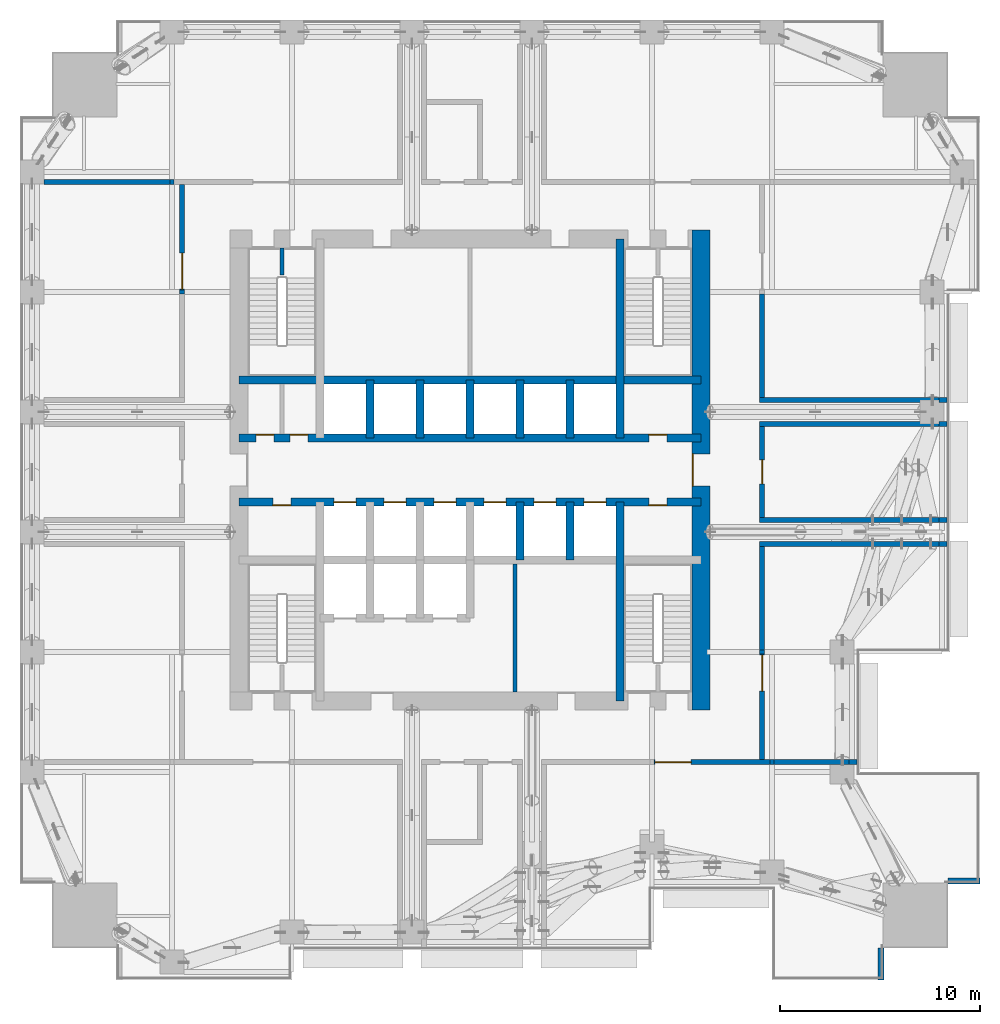
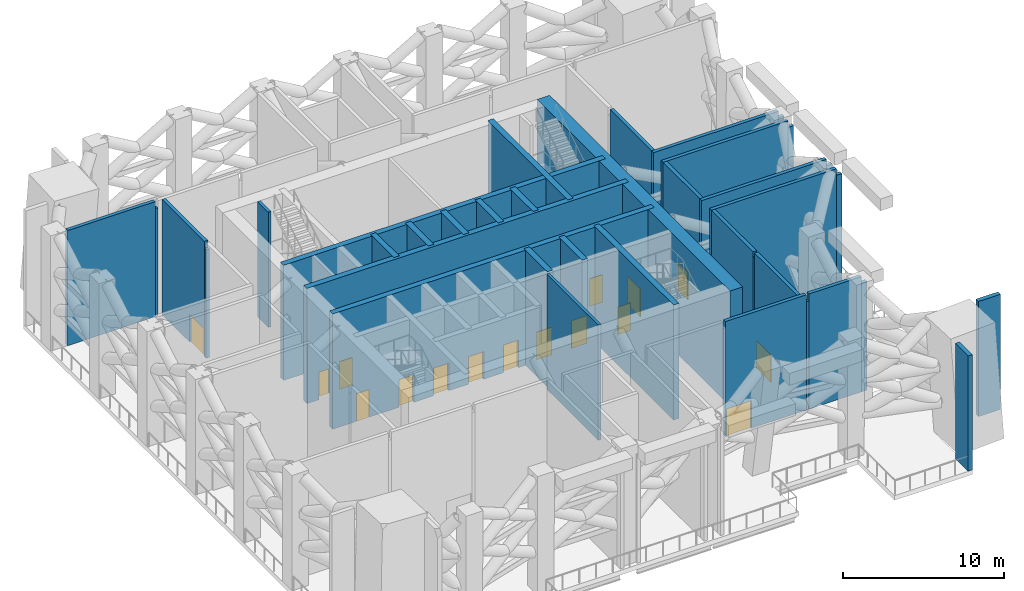
# One storey, part 8 of 18: 38 walls, 16 doors, 16 openings.
"""IFC4 building model written with IfcOpenShell, lengths in metres."""

from ifc_helpers import new_model, si_unit, direction, frame, frame_2d, origin, place, context, subcontext, project, spatial, rectangle, extrude, material, layer, layer_set, type_object, element, fill, save


model = new_model("IFC4")

# Units and contexts
model_context = context("Model", 3, precision=1e-05, world=origin(), true_north=direction((0.0, 1.0)))
body_context = subcontext(model_context, "Body", "Model", "MODEL_VIEW")
ifc_project = project(units=[si_unit("LENGTHUNIT", "METRE"), si_unit("AREAUNIT", "SQUARE_METRE"), si_unit("VOLUMEUNIT", "CUBIC_METRE"), si_unit("PLANEANGLEUNIT", "RADIAN"), si_unit("MASSUNIT", "GRAM", prefix="KILO")], contexts=[model_context])

# Site, building, storey
site_placement = place(None, origin())
site = spatial("IfcSite", under=ifc_project, at=site_placement, CompositionType="ELEMENT")
building_placement = place(site_placement, origin())
building = spatial("IfcBuilding", under=site, at=building_placement, Name="Amberfall Residences", CompositionType="ELEMENT")
storey_placement = place(building_placement, frame((0.0, 0.0, 69.699951171875)))
storey = spatial("IfcBuildingStorey", under=building, at=storey_placement, Name="L19", CompositionType="ELEMENT", Elevation=69.699951171875)

# Wall, opening, door
ifc_material_1 = material(Name="Reinforced concrete C40", Category="concrete")
ifc_layer_1 = layer(ifc_material_1, 0.25)
ifc_layer_set_1 = layer_set([ifc_layer_1], Name="Compartment wall 250")
wall_type_1 = type_object("IfcWallType", Name="Compartment wall 250", PredefinedType="SOLIDWALL", material=ifc_layer_set_1)
wall_1_placement = place(storey_placement, frame((83.69580078125, 30.89990234375, 0.0), z_axis=(0.0, 0.0, 1.0), x_axis=(1.0, 0.0, 0.0)))
wall_1 = element("IfcWall", 1, at=wall_1_placement, inside=storey, type_object=wall_type_1, Name="Compartment wall 250 L19 010", PredefinedType="SOLIDWALL", context=body_context, shape_type="SweptSolid", body=[
    extrude(rectangle(XDim=5.799560546875, YDim=0.25, at=frame_2d((2.89990234375, 0.0))), origin(), (0.0, 0.0, 1.0), 8.75),
])
opening_1_placement = place(wall_1_placement, frame((0.054443359375, 0.0, 0.0)))
opening_1 = element("IfcOpeningElement", 2, at=opening_1_placement, cuts=wall_1, Name="Opening D13", PredefinedType="OPENING", context=body_context, shape_type="SweptSolid", body=[
    extrude(rectangle(XDim=1.800048828125, YDim=2.10009765625, at=frame_2d((0.89990234375, 1.050048828125))), frame((0.0, 0.135009765625, 0.0), z_axis=(0.0, -1.0, 0.0), x_axis=(1.0, 0.0, 0.0)), (0.0, 0.0, 1.0), 0.27001953125),
])
ifc_material_2 = material(Name="Steel fire door leaf", Category="steel")
door_type_1 = type_object("IfcDoorType", Name="Double fire door 1800x2100 FD60", OperationType="DOUBLE_DOOR_SINGLE_SWING", PredefinedType="DOOR", material=ifc_material_2)
door_1_placement = place(opening_1_placement, origin())
door_1 = element("IfcDoor", 3, at=door_1_placement, inside=storey, type_object=door_type_1, Name="Door Refuge area 3", OperationType="DOUBLE_DOOR_SINGLE_SWING", OverallHeight=2.10009765625, OverallWidth=1.800048828125, PredefinedType="DOOR", context=body_context, shape_type="SweptSolid", body=[
    extrude(rectangle(XDim=1.800048828125, YDim=2.10009765625, at=frame_2d((0.89990234375, 1.050048828125))), frame((0.0, 0.02490234375, 0.0), z_axis=(0.0, -1.0, 0.0), x_axis=(1.0, 0.0, 0.0)), (0.0, 0.0, 1.0), 0.050048828125),
])
fill(opening_1, door_1)

# Walls
wall_2_placement = place(storey_placement, frame((89.495361328125, 30.89990234375, 0.0), z_axis=(0.0, 0.0, 1.0), x_axis=(1.0, 0.0, 0.0)))
element("IfcWall", 4, at=wall_2_placement, inside=storey, type_object=wall_type_1, Name="Compartment wall 250 L19 011", PredefinedType="SOLIDWALL", context=body_context, shape_type="SweptSolid", body=[
    extrude(rectangle(XDim=0.209228515625, YDim=0.25, at=frame_2d((0.1044921875, 0.0))), origin(), (0.0, 0.0, 1.0), 8.217041015625),
])
wall_3_placement = place(storey_placement, frame((89.70458984375, 30.89990234375, 0.0), z_axis=(0.0, 0.0, 1.0), x_axis=(1.0, 0.0, 0.0)))
element("IfcWall", 5, at=wall_3_placement, inside=storey, type_object=wall_type_1, Name="Compartment wall 250 L19 012", PredefinedType="SOLIDWALL", context=body_context, shape_type="SweptSolid", body=[
    extrude(rectangle(XDim=3.745361328125, YDim=0.25, at=frame_2d((1.87255859375, 0.0))), origin(), (0.0, 0.0, 1.0), 8.75),
])
wall_4_placement = place(storey_placement, frame((93.449951171875, 30.89990234375, 0.0), z_axis=(0.0, 0.0, 1.0), x_axis=(1.0, 0.0, 0.0)))
element("IfcWall", 6, at=wall_4_placement, inside=storey, type_object=wall_type_1, Name="Compartment wall 250 L19 013", PredefinedType="SOLIDWALL", context=body_context, shape_type="SweptSolid", body=[
    extrude(rectangle(XDim=0.400146484375, YDim=0.25, at=frame_2d((0.2001953125, 0.0))), origin(), (0.0, 0.0, 1.0), 8.25),
])
wall_5_placement = place(storey_placement, frame((88.97509765625, 41.800048828125, 0.0), z_axis=(0.0, 0.0, 1.0), x_axis=(1.0, 0.0, 0.0)))
element("IfcWall", 7, at=wall_5_placement, inside=storey, type_object=wall_type_1, Name="Compartment wall 250 L19 015", PredefinedType="SOLIDWALL", context=body_context, shape_type="SweptSolid", body=[
    extrude(rectangle(XDim=8.974853515625, YDim=0.25, at=frame_2d((4.4873046875, 0.0))), origin(), (0.0, 0.0, 1.0), 8.75),
])
wall_6_placement = place(storey_placement, frame((97.949951171875, 41.800048828125, 0.0), z_axis=(0.0, 0.0, 1.0), x_axis=(1.0, 0.0, 0.0)))
element("IfcWall", 8, at=wall_6_placement, inside=storey, type_object=wall_type_1, Name="Compartment wall 250 L19 016", PredefinedType="SOLIDWALL", context=body_context, shape_type="SweptSolid", body=[
    extrude(rectangle(XDim=0.400146484375, YDim=0.25, at=frame_2d((0.2001953125, 0.0))), origin(), (0.0, 0.0, 1.0), 8.25),
])
wall_7_placement = place(storey_placement, frame((88.97509765625, 43.0, 0.0), z_axis=(0.0, 0.0, 1.0), x_axis=(1.0, 0.0, 0.0)))
element("IfcWall", 9, at=wall_7_placement, inside=storey, type_object=wall_type_1, Name="Compartment wall 250 L19 018", PredefinedType="SOLIDWALL", context=body_context, shape_type="SweptSolid", body=[
    extrude(rectangle(XDim=8.974853515625, YDim=0.25, at=frame_2d((4.4873046875, 0.0))), origin(), (0.0, 0.0, 1.0), 8.75),
])
wall_8_placement = place(storey_placement, frame((97.949951171875, 43.0, 0.0), z_axis=(0.0, 0.0, 1.0), x_axis=(1.0, 0.0, 0.0)))
element("IfcWall", 10, at=wall_8_placement, inside=storey, type_object=wall_type_1, Name="Compartment wall 250 L19 019", PredefinedType="SOLIDWALL", context=body_context, shape_type="SweptSolid", body=[
    extrude(rectangle(XDim=0.400146484375, YDim=0.25, at=frame_2d((0.2001953125, 0.0))), origin(), (0.0, 0.0, 1.0), 8.25),
])
wall_9_placement = place(storey_placement, frame((88.97509765625, 47.800048828125, 0.0), z_axis=(0.0, 0.0, 1.0), x_axis=(1.0, 0.0, 0.0)))
element("IfcWall", 11, at=wall_9_placement, inside=storey, type_object=wall_type_1, Name="Compartment wall 250 L19 021", PredefinedType="SOLIDWALL", context=body_context, shape_type="SweptSolid", body=[
    extrude(rectangle(XDim=8.974853515625, YDim=0.25, at=frame_2d((4.4873046875, 0.0))), origin(), (0.0, 0.0, 1.0), 8.75),
])
wall_10_placement = place(storey_placement, frame((97.949951171875, 47.800048828125, 0.0), z_axis=(0.0, 0.0, 1.0), x_axis=(1.0, 0.0, 0.0)))
element("IfcWall", 12, at=wall_10_placement, inside=storey, type_object=wall_type_1, Name="Compartment wall 250 L19 022", PredefinedType="SOLIDWALL", context=body_context, shape_type="SweptSolid", body=[
    extrude(rectangle(XDim=0.400146484375, YDim=0.25, at=frame_2d((0.2001953125, 0.0))), origin(), (0.0, 0.0, 1.0), 8.25),
])
wall_11_placement = place(storey_placement, frame((88.97509765625, 49.0, 0.0), z_axis=(0.0, 0.0, 1.0), x_axis=(1.0, 0.0, 0.0)))
element("IfcWall", 13, at=wall_11_placement, inside=storey, type_object=wall_type_1, Name="Compartment wall 250 L19 024", PredefinedType="SOLIDWALL", context=body_context, shape_type="SweptSolid", body=[
    extrude(rectangle(XDim=8.974853515625, YDim=0.25, at=frame_2d((4.4873046875, 0.0))), origin(), (0.0, 0.0, 1.0), 8.75),
])
wall_12_placement = place(storey_placement, frame((97.949951171875, 49.0, 0.0), z_axis=(0.0, 0.0, 1.0), x_axis=(1.0, 0.0, 0.0)))
element("IfcWall", 14, at=wall_12_placement, inside=storey, type_object=wall_type_1, Name="Compartment wall 250 L19 025", PredefinedType="SOLIDWALL", context=body_context, shape_type="SweptSolid", body=[
    extrude(rectangle(XDim=0.400146484375, YDim=0.25, at=frame_2d((0.2001953125, 0.0))), origin(), (0.0, 0.0, 1.0), 8.25),
])
wall_13_placement = place(storey_placement, frame((53.199951171875, 59.89990234375, 0.0), z_axis=(0.0, 0.0, 1.0), x_axis=(1.0, 0.0, 0.0)))
element("IfcWall", 15, at=wall_13_placement, inside=storey, type_object=wall_type_1, Name="Compartment wall 250 L19 026", PredefinedType="SOLIDWALL", context=body_context, shape_type="SweptSolid", body=[
    extrude(rectangle(XDim=6.294677734375, YDim=0.25, at=frame_2d((3.1474609375, 0.0))), origin(), (0.0, 0.0, 1.0), 8.75),
])
wall_14_placement = place(storey_placement, frame((59.49462890625, 59.89990234375, 0.0), z_axis=(0.0, 0.0, 1.0), x_axis=(1.0, 0.0, 0.0)))
element("IfcWall", 16, at=wall_14_placement, inside=storey, type_object=wall_type_1, Name="Compartment wall 250 L19 027", PredefinedType="SOLIDWALL", context=body_context, shape_type="SweptSolid", body=[
    extrude(rectangle(XDim=0.210693359375, YDim=0.25, at=frame_2d((0.10546875, 0.0))), origin(), (0.0, 0.0, 1.0), 8.2099609375),
])
wall_15_placement = place(storey_placement, frame((60.10009765625, 54.29541015625, 0.0), z_axis=(0.0, 0.0, 1.0), x_axis=(0.0, 1.0, 0.0)))
element("IfcWall", 17, at=wall_15_placement, inside=storey, type_object=wall_type_1, Name="Compartment wall 250 L19 044", PredefinedType="SOLIDWALL", context=body_context, shape_type="SweptSolid", body=[
    extrude(rectangle(XDim=0.209228515625, YDim=0.25, at=frame_2d((0.1044921875, 0.0))), origin(), (0.0, 0.0, 1.0), 8.217041015625),
])

# Wall, opening, door
wall_16_placement = place(storey_placement, frame((60.10009765625, 54.504638671875, 0.0), z_axis=(0.0, 0.0, 1.0), x_axis=(0.0, 1.0, 0.0)))
wall_16 = element("IfcWall", 18, at=wall_16_placement, inside=storey, type_object=wall_type_1, Name="Compartment wall 250 L19 045", PredefinedType="SOLIDWALL", context=body_context, shape_type="SweptSolid", body=[
    extrude(rectangle(XDim=5.270263671875, YDim=0.25, at=frame_2d((2.63525390625, 0.0))), origin(), (0.0, 0.0, 1.0), 8.75),
])
opening_2_placement = place(wall_16_placement, frame((0.04541015625, 0.0, 0.0)))
opening_2 = element("IfcOpeningElement", 19, at=opening_2_placement, cuts=wall_16, Name="Opening D13", PredefinedType="OPENING", context=body_context, shape_type="SweptSolid", body=[
    extrude(rectangle(XDim=1.800048828125, YDim=2.10009765625, at=frame_2d((0.89990234375, 1.050048828125))), frame((0.0, 0.135009765625, 0.0), z_axis=(0.0, -1.0, 0.0), x_axis=(1.0, 0.0, 0.0)), (0.0, 0.0, 1.0), 0.27001953125),
])
door_2_placement = place(opening_2_placement, origin())
door_2 = element("IfcDoor", 20, at=door_2_placement, inside=storey, type_object=door_type_1, Name="Door Refuge area 9", OperationType="DOUBLE_DOOR_SINGLE_SWING", OverallHeight=2.10009765625, OverallWidth=1.800048828125, PredefinedType="DOOR", context=body_context, shape_type="SweptSolid", body=[
    extrude(rectangle(XDim=1.800048828125, YDim=2.10009765625, at=frame_2d((0.89990234375, 1.050048828125))), frame((0.0, 0.02490234375, 0.0), z_axis=(0.0, -1.0, 0.0), x_axis=(1.0, 0.0, 0.0)), (0.0, 0.0, 1.0), 0.050048828125),
])
fill(opening_2, door_2)

wall_17_placement = place(storey_placement, frame((89.10009765625, 31.02490234375, 0.0), z_axis=(0.0, 0.0, 1.0), x_axis=(0.0, 1.0, 0.0)))
wall_17 = element("IfcWall", 21, at=wall_17_placement, inside=storey, type_object=wall_type_1, Name="Compartment wall 250 L19 060", PredefinedType="SOLIDWALL", context=body_context, shape_type="SweptSolid", body=[
    extrude(rectangle(XDim=5.2861328125, YDim=0.25, at=frame_2d((2.64306640625, 0.0))), origin(), (0.0, 0.0, 1.0), 8.75),
])
opening_3_placement = place(wall_17_placement, frame((3.425048828125, 0.0, 0.0)))
opening_3 = element("IfcOpeningElement", 22, at=opening_3_placement, cuts=wall_17, Name="Opening D13", PredefinedType="OPENING", context=body_context, shape_type="SweptSolid", body=[
    extrude(rectangle(XDim=1.800048828125, YDim=2.10009765625, at=frame_2d((0.89990234375, 1.050048828125))), frame((0.0, 0.135009765625, 0.0), z_axis=(0.0, -1.0, 0.0), x_axis=(1.0, 0.0, 0.0)), (0.0, 0.0, 1.0), 0.27001953125),
])
door_3_placement = place(opening_3_placement, origin())
door_3 = element("IfcDoor", 23, at=door_3_placement, inside=storey, type_object=door_type_1, Name="Door Refuge area 10", OperationType="DOUBLE_DOOR_SINGLE_SWING", OverallHeight=2.10009765625, OverallWidth=1.800048828125, PredefinedType="DOOR", context=body_context, shape_type="SweptSolid", body=[
    extrude(rectangle(XDim=1.800048828125, YDim=2.10009765625, at=frame_2d((0.89990234375, 1.050048828125))), frame((0.0, 0.02490234375, 0.0), z_axis=(0.0, -1.0, 0.0), x_axis=(1.0, 0.0, 0.0)), (0.0, 0.0, 1.0), 0.050048828125),
])
fill(opening_3, door_3)

# Walls
wall_18_placement = place(storey_placement, frame((89.10009765625, 36.31103515625, 0.0), z_axis=(0.0, 0.0, 1.0), x_axis=(0.0, 1.0, 0.0)))
element("IfcWall", 24, at=wall_18_placement, inside=storey, type_object=wall_type_1, Name="Compartment wall 250 L19 061", PredefinedType="SOLIDWALL", context=body_context, shape_type="SweptSolid", body=[
    extrude(rectangle(XDim=0.177734375, YDim=0.25, at=frame_2d((0.0888671875, 0.0))), origin(), (0.0, 0.0, 1.0), 8.34716796875),
])
wall_19_placement = place(storey_placement, frame((89.10009765625, 36.48876953125, 0.0), z_axis=(0.0, 0.0, 1.0), x_axis=(0.0, 1.0, 0.0)))
element("IfcWall", 25, at=wall_19_placement, inside=storey, type_object=wall_type_1, Name="Compartment wall 250 L19 062", PredefinedType="SOLIDWALL", context=body_context, shape_type="SweptSolid", body=[
    extrude(rectangle(XDim=5.186279296875, YDim=0.25, at=frame_2d((2.59326171875, 0.0))), origin(), (0.0, 0.0, 1.0), 8.75),
])

# Wall, opening, door
wall_20_placement = place(storey_placement, frame((89.10009765625, 43.125, 0.0), z_axis=(0.0, 0.0, 1.0), x_axis=(0.0, 1.0, 0.0)))
wall_20 = element("IfcWall", 26, at=wall_20_placement, inside=storey, type_object=wall_type_1, Name="Compartment wall 250 L19 063", PredefinedType="SOLIDWALL", context=body_context, shape_type="SweptSolid", body=[
    extrude(rectangle(XDim=4.550048828125, YDim=0.25, at=frame_2d((2.27490234375, 0.0))), origin(), (0.0, 0.0, 1.0), 8.75),
])
opening_4_placement = place(wall_20_placement, frame((1.675048828125, 0.0, 0.0)))
opening_4 = element("IfcOpeningElement", 27, at=opening_4_placement, cuts=wall_20, Name="Opening D6", PredefinedType="OPENING", context=body_context, shape_type="SweptSolid", body=[
    extrude(rectangle(XDim=1.199951171875, YDim=2.10009765625, at=frame_2d((0.60009765625, 1.050048828125))), frame((0.0, 0.135009765625, 0.0), z_axis=(0.0, -1.0, 0.0), x_axis=(1.0, 0.0, 0.0)), (0.0, 0.0, 1.0), 0.27001953125),
])
door_type_2 = type_object("IfcDoorType", Name="Exit door 1200x2100", OperationType="SINGLE_SWING_LEFT", PredefinedType="DOOR", material=ifc_material_2)
door_4_placement = place(opening_4_placement, origin())
door_4 = element("IfcDoor", 28, at=door_4_placement, inside=storey, type_object=door_type_2, Name="Door Refuge area 11", OperationType="SINGLE_SWING_LEFT", OverallHeight=2.10009765625, OverallWidth=1.199951171875, PredefinedType="DOOR", context=body_context, shape_type="SweptSolid", body=[
    extrude(rectangle(XDim=1.199951171875, YDim=2.10009765625, at=frame_2d((0.60009765625, 1.050048828125))), frame((0.0, 0.02490234375, 0.0), z_axis=(0.0, -1.0, 0.0), x_axis=(1.0, 0.0, 0.0)), (0.0, 0.0, 1.0), 0.050048828125),
])
fill(opening_4, door_4)

# Wall
wall_21_placement = place(storey_placement, frame((89.10009765625, 49.125, 0.0), z_axis=(0.0, 0.0, 1.0), x_axis=(0.0, 1.0, 0.0)))
element("IfcWall", 29, at=wall_21_placement, inside=storey, type_object=wall_type_1, Name="Compartment wall 250 L19 064", PredefinedType="SOLIDWALL", context=body_context, shape_type="SweptSolid", body=[
    extrude(rectangle(XDim=5.17041015625, YDim=0.25, at=frame_2d((2.585205078125, 0.0))), origin(), (0.0, 0.0, 1.0), 8.75),
])

# Wall, openings, doors
ifc_material_3 = material(Name="Concrete C80", Category="concrete")
ifc_layer_2 = layer(ifc_material_3, 0.39990234375)
ifc_layer_set_2 = layer_set([ifc_layer_2], Name="Core wall 400 C80")
wall_type_2 = type_object("IfcWallType", Name="Core wall 400 C80", PredefinedType="SHEAR", material=ifc_layer_set_2)
wall_22_placement = place(storey_placement, frame((62.949951171875, 43.89990234375, 0.0), z_axis=(0.0, 0.0, 1.0), x_axis=(1.0, 0.0, 0.0)))
wall_22 = element("IfcWall", 30, at=wall_22_placement, inside=storey, type_object=wall_type_2, Name="Core wall RW2 L19 H104", PredefinedType="SHEAR", context=body_context, shape_type="SweptSolid", body=[
    extrude(rectangle(XDim=23.10009765625, YDim=0.39990234375, at=frame_2d((11.550048828125, 0.0))), origin(), (0.0, 0.0, 1.0), 8.75),
])
opening_5_placement = place(wall_22_placement, frame((1.699951171875, 0.0, 0.0)))
opening_5 = element("IfcOpeningElement", 31, at=opening_5_placement, cuts=wall_22, Name="Opening RD1", PredefinedType="OPENING", context=body_context, shape_type="SweptSolid", body=[
    extrude(rectangle(XDim=0.89990234375, YDim=2.10009765625, at=frame_2d((0.449951171875, 1.050048828125))), frame((0.0, 0.2099609375, 0.0), z_axis=(0.0, -1.0, 0.0), x_axis=(1.0, 0.0, 0.0)), (0.0, 0.0, 1.0), 0.419921875),
])
opening_6_placement = place(wall_22_placement, frame((20.5, 0.0, 0.0)))
opening_6 = element("IfcOpeningElement", 32, at=opening_6_placement, cuts=wall_22, Name="Opening RD1", PredefinedType="OPENING", context=body_context, shape_type="SweptSolid", body=[
    extrude(rectangle(XDim=0.89990234375, YDim=2.10009765625, at=frame_2d((0.449951171875, 1.050048828125))), frame((0.0, 0.2099609375, 0.0), z_axis=(0.0, -1.0, 0.0), x_axis=(1.0, 0.0, 0.0)), (0.0, 0.0, 1.0), 0.419921875),
])
opening_7_placement = place(wall_22_placement, frame((4.75, 0.0, 0.0)))
opening_7 = element("IfcOpeningElement", 33, at=opening_7_placement, cuts=wall_22, Name="Opening LD1", PredefinedType="OPENING", context=body_context, shape_type="SweptSolid", body=[
    extrude(rectangle(XDim=1.10009765625, YDim=2.10009765625, at=frame_2d((0.550048828125, 1.050048828125))), frame((0.0, 0.2099609375, 0.0), z_axis=(0.0, -1.0, 0.0), x_axis=(1.0, 0.0, 0.0)), (0.0, 0.0, 1.0), 0.419921875),
])
opening_8_placement = place(wall_22_placement, frame((7.25, 0.0, 0.0)))
opening_8 = element("IfcOpeningElement", 34, at=opening_8_placement, cuts=wall_22, Name="Opening LD1", PredefinedType="OPENING", context=body_context, shape_type="SweptSolid", body=[
    extrude(rectangle(XDim=1.10009765625, YDim=2.10009765625, at=frame_2d((0.550048828125, 1.050048828125))), frame((0.0, 0.2099609375, 0.0), z_axis=(0.0, -1.0, 0.0), x_axis=(1.0, 0.0, 0.0)), (0.0, 0.0, 1.0), 0.419921875),
])
opening_9_placement = place(wall_22_placement, frame((9.75, 0.0, 0.0)))
opening_9 = element("IfcOpeningElement", 35, at=opening_9_placement, cuts=wall_22, Name="Opening LD1", PredefinedType="OPENING", context=body_context, shape_type="SweptSolid", body=[
    extrude(rectangle(XDim=1.10009765625, YDim=2.10009765625, at=frame_2d((0.550048828125, 1.050048828125))), frame((0.0, 0.2099609375, 0.0), z_axis=(0.0, -1.0, 0.0), x_axis=(1.0, 0.0, 0.0)), (0.0, 0.0, 1.0), 0.419921875),
])
opening_10_placement = place(wall_22_placement, frame((12.25, 0.0, 0.0)))
opening_10 = element("IfcOpeningElement", 36, at=opening_10_placement, cuts=wall_22, Name="Opening LD1", PredefinedType="OPENING", context=body_context, shape_type="SweptSolid", body=[
    extrude(rectangle(XDim=1.10009765625, YDim=2.10009765625, at=frame_2d((0.550048828125, 1.050048828125))), frame((0.0, 0.2099609375, 0.0), z_axis=(0.0, -1.0, 0.0), x_axis=(1.0, 0.0, 0.0)), (0.0, 0.0, 1.0), 0.419921875),
])
opening_11_placement = place(wall_22_placement, frame((14.75, 0.0, 0.0)))
opening_11 = element("IfcOpeningElement", 37, at=opening_11_placement, cuts=wall_22, Name="Opening LD1", PredefinedType="OPENING", context=body_context, shape_type="SweptSolid", body=[
    extrude(rectangle(XDim=1.10009765625, YDim=2.10009765625, at=frame_2d((0.550048828125, 1.050048828125))), frame((0.0, 0.2099609375, 0.0), z_axis=(0.0, -1.0, 0.0), x_axis=(1.0, 0.0, 0.0)), (0.0, 0.0, 1.0), 0.419921875),
])
opening_12_placement = place(wall_22_placement, frame((17.25, 0.0, 0.0)))
opening_12 = element("IfcOpeningElement", 38, at=opening_12_placement, cuts=wall_22, Name="Opening LD1", PredefinedType="OPENING", context=body_context, shape_type="SweptSolid", body=[
    extrude(rectangle(XDim=1.10009765625, YDim=2.10009765625, at=frame_2d((0.550048828125, 1.050048828125))), frame((0.0, 0.2099609375, 0.0), z_axis=(0.0, -1.0, 0.0), x_axis=(1.0, 0.0, 0.0)), (0.0, 0.0, 1.0), 0.419921875),
])
ifc_material_4 = material(Name="Steel fire door set", Category="steel")
door_type_3 = type_object("IfcDoorType", Name="Lift landing door 1100 x 2100", OperationType="DOUBLE_DOOR_SLIDING", PredefinedType="DOOR", material=ifc_material_4)
door_5_placement = place(opening_7_placement, origin())
door_5 = element("IfcDoor", 39, at=door_5_placement, inside=storey, type_object=door_type_3, Name="Landing door LP1 L19", OperationType="DOUBLE_DOOR_SLIDING", OverallHeight=2.10009765625, OverallWidth=1.10009765625, PredefinedType="DOOR", context=body_context, shape_type="SweptSolid", body=[
    extrude(rectangle(XDim=1.10009765625, YDim=2.10009765625, at=frame_2d((0.550048828125, 1.050048828125))), frame((0.0, 0.02490234375, 0.0), z_axis=(0.0, -1.0, 0.0), x_axis=(1.0, 0.0, 0.0)), (0.0, 0.0, 1.0), 0.050048828125),
])
fill(opening_7, door_5)
door_6_placement = place(opening_8_placement, origin())
door_6 = element("IfcDoor", 40, at=door_6_placement, inside=storey, type_object=door_type_3, Name="Landing door LP2 L19", OperationType="DOUBLE_DOOR_SLIDING", OverallHeight=2.10009765625, OverallWidth=1.10009765625, PredefinedType="DOOR", context=body_context, shape_type="SweptSolid", body=[
    extrude(rectangle(XDim=1.10009765625, YDim=2.10009765625, at=frame_2d((0.550048828125, 1.050048828125))), frame((0.0, 0.02490234375, 0.0), z_axis=(0.0, -1.0, 0.0), x_axis=(1.0, 0.0, 0.0)), (0.0, 0.0, 1.0), 0.050048828125),
])
fill(opening_8, door_6)
door_7_placement = place(opening_9_placement, origin())
door_7 = element("IfcDoor", 41, at=door_7_placement, inside=storey, type_object=door_type_3, Name="Landing door LP3 L19", OperationType="DOUBLE_DOOR_SLIDING", OverallHeight=2.10009765625, OverallWidth=1.10009765625, PredefinedType="DOOR", context=body_context, shape_type="SweptSolid", body=[
    extrude(rectangle(XDim=1.10009765625, YDim=2.10009765625, at=frame_2d((0.550048828125, 1.050048828125))), frame((0.0, 0.02490234375, 0.0), z_axis=(0.0, -1.0, 0.0), x_axis=(1.0, 0.0, 0.0)), (0.0, 0.0, 1.0), 0.050048828125),
])
fill(opening_9, door_7)
door_8_placement = place(opening_10_placement, origin())
door_8 = element("IfcDoor", 42, at=door_8_placement, inside=storey, type_object=door_type_3, Name="Landing door LP4 L19", OperationType="DOUBLE_DOOR_SLIDING", OverallHeight=2.10009765625, OverallWidth=1.10009765625, PredefinedType="DOOR", context=body_context, shape_type="SweptSolid", body=[
    extrude(rectangle(XDim=1.10009765625, YDim=2.10009765625, at=frame_2d((0.550048828125, 1.050048828125))), frame((0.0, 0.02490234375, 0.0), z_axis=(0.0, -1.0, 0.0), x_axis=(1.0, 0.0, 0.0)), (0.0, 0.0, 1.0), 0.050048828125),
])
fill(opening_10, door_8)
door_9_placement = place(opening_11_placement, origin())
door_9 = element("IfcDoor", 43, at=door_9_placement, inside=storey, type_object=door_type_3, Name="Landing door LP5 L19", OperationType="DOUBLE_DOOR_SLIDING", OverallHeight=2.10009765625, OverallWidth=1.10009765625, PredefinedType="DOOR", context=body_context, shape_type="SweptSolid", body=[
    extrude(rectangle(XDim=1.10009765625, YDim=2.10009765625, at=frame_2d((0.550048828125, 1.050048828125))), frame((0.0, 0.02490234375, 0.0), z_axis=(0.0, -1.0, 0.0), x_axis=(1.0, 0.0, 0.0)), (0.0, 0.0, 1.0), 0.050048828125),
])
fill(opening_11, door_9)
door_10_placement = place(opening_12_placement, origin())
door_10 = element("IfcDoor", 44, at=door_10_placement, inside=storey, type_object=door_type_3, Name="Landing door LP6 L19", OperationType="DOUBLE_DOOR_SLIDING", OverallHeight=2.10009765625, OverallWidth=1.10009765625, PredefinedType="DOOR", context=body_context, shape_type="SweptSolid", body=[
    extrude(rectangle(XDim=1.10009765625, YDim=2.10009765625, at=frame_2d((0.550048828125, 1.050048828125))), frame((0.0, 0.02490234375, 0.0), z_axis=(0.0, -1.0, 0.0), x_axis=(1.0, 0.0, 0.0)), (0.0, 0.0, 1.0), 0.050048828125),
])
fill(opening_12, door_10)
door_type_4 = type_object("IfcDoorType", Name="Service room door 900 x 2100", OperationType="SINGLE_SWING_LEFT", PredefinedType="DOOR", material=ifc_material_4)
door_11_placement = place(opening_5_placement, origin())
door_11 = element("IfcDoor", 45, at=door_11_placement, inside=storey, type_object=door_type_4, Name="RD1 L19", OperationType="SINGLE_SWING_LEFT", OverallHeight=2.10009765625, OverallWidth=0.89990234375, PredefinedType="DOOR", context=body_context, shape_type="SweptSolid", body=[
    extrude(rectangle(XDim=0.89990234375, YDim=2.10009765625, at=frame_2d((0.449951171875, 1.050048828125))), frame((0.0, -0.1376953125, 0.0), z_axis=(0.0, -1.0, 0.0), x_axis=(1.0, 0.0, 0.0)), (0.0, 0.0, 1.0), 0.050048828125),
])
fill(opening_5, door_11)
door_12_placement = place(opening_6_placement, origin())
door_12 = element("IfcDoor", 46, at=door_12_placement, inside=storey, type_object=door_type_4, Name="RD1 L19", OperationType="SINGLE_SWING_LEFT", OverallHeight=2.10009765625, OverallWidth=0.89990234375, PredefinedType="DOOR", context=body_context, shape_type="SweptSolid", body=[
    extrude(rectangle(XDim=0.89990234375, YDim=2.10009765625, at=frame_2d((0.449951171875, 1.050048828125))), frame((0.0, -0.1376953125, 0.0), z_axis=(0.0, -1.0, 0.0), x_axis=(1.0, 0.0, 0.0)), (0.0, 0.0, 1.0), 0.050048828125),
])
fill(opening_6, door_12)

wall_23_placement = place(storey_placement, frame((62.949951171875, 47.10009765625, 0.0), z_axis=(0.0, 0.0, 1.0), x_axis=(1.0, 0.0, 0.0)))
wall_23 = element("IfcWall", 47, at=wall_23_placement, inside=storey, type_object=wall_type_2, Name="Core wall RW2 L19 H136", PredefinedType="SHEAR", context=body_context, shape_type="SweptSolid", body=[
    extrude(rectangle(XDim=23.10009765625, YDim=0.39990234375, at=frame_2d((11.550048828125, 0.0))), origin(), (0.0, 0.0, 1.0), 8.75),
])
opening_13_placement = place(wall_23_placement, frame((0.85009765625, 0.0, 0.0)))
opening_13 = element("IfcOpeningElement", 48, at=opening_13_placement, cuts=wall_23, Name="Opening RD1", PredefinedType="OPENING", context=body_context, shape_type="SweptSolid", body=[
    extrude(rectangle(XDim=0.89990234375, YDim=2.10009765625, at=frame_2d((0.449951171875, 1.050048828125))), frame((0.0, 0.2099609375, 0.0), z_axis=(0.0, -1.0, 0.0), x_axis=(1.0, 0.0, 0.0)), (0.0, 0.0, 1.0), 0.419921875),
])
opening_14_placement = place(wall_23_placement, frame((2.550048828125, 0.0, 0.0)))
opening_14 = element("IfcOpeningElement", 49, at=opening_14_placement, cuts=wall_23, Name="Opening RD1", PredefinedType="OPENING", context=body_context, shape_type="SweptSolid", body=[
    extrude(rectangle(XDim=0.89990234375, YDim=2.10009765625, at=frame_2d((0.449951171875, 1.050048828125))), frame((0.0, 0.2099609375, 0.0), z_axis=(0.0, -1.0, 0.0), x_axis=(1.0, 0.0, 0.0)), (0.0, 0.0, 1.0), 0.419921875),
])
opening_15_placement = place(wall_23_placement, frame((20.5, 0.0, 0.0)))
opening_15 = element("IfcOpeningElement", 50, at=opening_15_placement, cuts=wall_23, Name="Opening RD1", PredefinedType="OPENING", context=body_context, shape_type="SweptSolid", body=[
    extrude(rectangle(XDim=0.89990234375, YDim=2.10009765625, at=frame_2d((0.449951171875, 1.050048828125))), frame((0.0, 0.2099609375, 0.0), z_axis=(0.0, -1.0, 0.0), x_axis=(1.0, 0.0, 0.0)), (0.0, 0.0, 1.0), 0.419921875),
])
door_13_placement = place(opening_13_placement, origin())
door_13 = element("IfcDoor", 51, at=door_13_placement, inside=storey, type_object=door_type_4, Name="RD1 L19", OperationType="SINGLE_SWING_LEFT", OverallHeight=2.10009765625, OverallWidth=0.89990234375, PredefinedType="DOOR", context=body_context, shape_type="SweptSolid", body=[
    extrude(rectangle(XDim=0.89990234375, YDim=2.10009765625, at=frame_2d((0.449951171875, 1.050048828125))), frame((0.0, 0.1875, 0.0), z_axis=(0.0, -1.0, 0.0), x_axis=(1.0, 0.0, 0.0)), (0.0, 0.0, 1.0), 0.050048828125),
])
fill(opening_13, door_13)
door_14_placement = place(opening_14_placement, origin())
door_14 = element("IfcDoor", 52, at=door_14_placement, inside=storey, type_object=door_type_4, Name="RD1 L19", OperationType="SINGLE_SWING_RIGHT", OverallHeight=2.10009765625, OverallWidth=0.89990234375, PredefinedType="DOOR", context=body_context, shape_type="SweptSolid", body=[
    extrude(rectangle(XDim=0.89990234375, YDim=2.10009765625, at=frame_2d((0.449951171875, 1.050048828125))), frame((0.0, 0.1875, 0.0), z_axis=(0.0, -1.0, 0.0), x_axis=(1.0, 0.0, 0.0)), (0.0, 0.0, 1.0), 0.050048828125),
])
fill(opening_14, door_14)
door_15_placement = place(opening_15_placement, origin())
door_15 = element("IfcDoor", 53, at=door_15_placement, inside=storey, type_object=door_type_4, Name="RD1 L19", OperationType="SINGLE_SWING_LEFT", OverallHeight=2.10009765625, OverallWidth=0.89990234375, PredefinedType="DOOR", context=body_context, shape_type="SweptSolid", body=[
    extrude(rectangle(XDim=0.89990234375, YDim=2.10009765625, at=frame_2d((0.449951171875, 1.050048828125))), frame((0.0, 0.1875, 0.0), z_axis=(0.0, -1.0, 0.0), x_axis=(1.0, 0.0, 0.0)), (0.0, 0.0, 1.0), 0.050048828125),
])
fill(opening_15, door_15)

# Walls
wall_24_placement = place(storey_placement, frame((62.949951171875, 50.0, 0.0), z_axis=(0.0, 0.0, 1.0), x_axis=(1.0, 0.0, 0.0)))
element("IfcWall", 54, at=wall_24_placement, inside=storey, type_object=wall_type_2, Name="Core wall RW2 L19 H165", PredefinedType="SHEAR", context=body_context, shape_type="SweptSolid", body=[
    extrude(rectangle(XDim=23.10009765625, YDim=0.39990234375, at=frame_2d((11.550048828125, 0.0))), origin(), (0.0, 0.0, 1.0), 8.75),
])
for number, where, z_axis, x_axis, name in (
    (55, (82.0, 33.949951171875, 0.0), (0.0, 0.0, 1.0), (0.0, 1.0, 0.0), "Core wall RW2 L19 V195S"),
    (56, (82.0, 47.10009765625, 0.0), (0.0, 0.0, 1.0), (0.0, 1.0, 0.0), "Core wall RW2 L19 V195N"),
):
    element("IfcWall", number, at=place(storey_placement, frame(where, z_axis=z_axis, x_axis=x_axis)), inside=storey, type_object=wall_type_2, Name=name, PredefinedType="SHEAR", context=body_context, shape_type="SweptSolid", body=[
        extrude(rectangle(XDim=9.949951171875, YDim=0.39990234375, at=frame_2d((4.97509765625, 0.0))), origin(), (0.0, 0.0, 1.0), 8.75),
    ])
for number, where, z_axis, x_axis, name in (
    (57, (69.5, 47.10009765625, 0.0), (0.0, 0.0, 1.0), (0.0, 1.0, 0.0), "Core wall RW2 L19 HPD1"),
    (58, (72.0, 47.10009765625, 0.0), (0.0, 0.0, 1.0), (0.0, 1.0, 0.0), "Core wall RW2 L19 HPD2"),
    (59, (74.5, 47.10009765625, 0.0), (0.0, 0.0, 1.0), (0.0, 1.0, 0.0), "Core wall RW2 L19 HPD3"),
    (60, (77.0, 41.0, 0.0), (0.0, 0.0, 1.0), (0.0, 1.0, 0.0), "Core wall RW2 L19 LPD4"),
    (61, (77.0, 47.10009765625, 0.0), (0.0, 0.0, 1.0), (0.0, 1.0, 0.0), "Core wall RW2 L19 HPD4"),
    (62, (79.5, 41.0, 0.0), (0.0, 0.0, 1.0), (0.0, 1.0, 0.0), "Core wall RW2 L19 LPD5"),
    (63, (79.5, 47.10009765625, 0.0), (0.0, 0.0, 1.0), (0.0, 1.0, 0.0), "Core wall RW2 L19 HPD5"),
):
    element("IfcWall", number, at=place(storey_placement, frame(where, z_axis=z_axis, x_axis=x_axis)), inside=storey, type_object=wall_type_2, Name=name, PredefinedType="SHEAR", context=body_context, shape_type="SweptSolid", body=[
        extrude(rectangle(XDim=2.89990234375, YDim=0.39990234375, at=frame_2d((1.449951171875, 0.0))), origin(), (0.0, 0.0, 1.0), 8.75),
    ])

# Wall, opening, door
ifc_layer_3 = layer(ifc_material_3, 0.89990234375)
ifc_layer_set_3 = layer_set([ifc_layer_3], Name="Core wall 900 C80")
wall_type_3 = type_object("IfcWallType", Name="Core wall 900 C80", PredefinedType="SHEAR", material=ifc_layer_set_3)
wall_25_placement = place(storey_placement, frame((86.050048828125, 33.5, 0.0), z_axis=(0.0, 0.0, 1.0), x_axis=(0.0, 1.0, 0.0)))
wall_25 = element("IfcWall", 64, at=wall_25_placement, inside=storey, type_object=wall_type_3, Name="Core wall RW1 L19 OE", PredefinedType="SHEAR", context=body_context, shape_type="SweptSolid", body=[
    extrude(rectangle(XDim=24.0, YDim=0.89990234375, at=frame_2d((12.0, 0.0))), origin(), (0.0, 0.0, 1.0), 8.75),
])
opening_16_placement = place(wall_25_placement, frame((11.199951171875, 0.0, 0.0)))
opening_16 = element("IfcOpeningElement", 65, at=opening_16_placement, cuts=wall_25, Name="Opening LB1", PredefinedType="OPENING", context=body_context, shape_type="SweptSolid", body=[
    extrude(rectangle(XDim=1.60009765625, YDim=2.10009765625, at=frame_2d((0.800048828125, 1.050048828125))), frame((0.0, 0.4599609375, 0.0), z_axis=(0.0, -1.0, 0.0), x_axis=(1.0, 0.0, 0.0)), (0.0, 0.0, 1.0), 0.919921875),
])
door_type_5 = type_object("IfcDoorType", Name="Lift lobby double door 1600 x 2100", OperationType="DOUBLE_DOOR_SINGLE_SWING", PredefinedType="DOOR", material=ifc_material_4)
door_16_placement = place(opening_16_placement, origin())
door_16 = element("IfcDoor", 66, at=door_16_placement, inside=storey, type_object=door_type_5, Name="LB1 L19", OperationType="DOUBLE_DOOR_SINGLE_SWING", OverallHeight=2.10009765625, OverallWidth=1.60009765625, PredefinedType="DOOR", context=body_context, shape_type="SweptSolid", body=[
    extrude(rectangle(XDim=1.60009765625, YDim=2.10009765625, at=frame_2d((0.800048828125, 1.050048828125))), frame((0.0, 0.4375, 0.0), z_axis=(0.0, -1.0, 0.0), x_axis=(1.0, 0.0, 0.0)), (0.0, 0.0, 1.0), 0.050048828125),
])
fill(opening_16, door_16)

# Walls
ifc_material_5 = material(Name="Bronze aluminium louvre cladding on insulated backing", Category="aluminium")
ifc_layer_4 = layer(ifc_material_5, 0.300048828125)
ifc_layer_set_4 = layer_set([ifc_layer_4], Name="Louvre clad wall 300")
wall_type_4 = type_object("IfcWallType", Name="Louvre clad wall 300", PredefinedType="SOLIDWALL", material=ifc_layer_set_4)
for number, where, z_axis, x_axis, name in (
    (67, (95.050048828125, 20.0, 0.0), (0.0, 0.0, 1.0), (0.0, 1.0, 0.0), "External wall L19 SE"),
    (68, (98.39990234375, 24.949951171875, 0.0), (0.0, 0.0, 1.0), (1.0, 0.0, 0.0), "External wall L19 SE"),
):
    element("IfcWall", number, at=place(storey_placement, frame(where, z_axis=z_axis, x_axis=x_axis)), inside=storey, type_object=wall_type_4, Name=name, PredefinedType="SOLIDWALL", context=body_context, shape_type="SweptSolid", body=[
        extrude(rectangle(XDim=1.60009765625, YDim=0.300048828125, at=frame_2d((0.800048828125, 0.0))), origin(), (0.0, 0.0, 1.0), 8.75),
    ])
ifc_material_6 = material(Name="Concrete blockwork", Category="masonry")
ifc_layer_5 = layer(ifc_material_6, 0.199951171875)
ifc_layer_set_5 = layer_set([ifc_layer_5], Name="Riser wall 200")
wall_type_5 = type_object("IfcWallType", Name="Riser wall 200", PredefinedType="PLUMBINGWALL", material=ifc_layer_set_5)
wall_26_placement = place(storey_placement, frame((76.75, 34.39990234375, 0.0), z_axis=(0.0, 0.0, 1.0), x_axis=(0.0, 1.0, 0.0)))
element("IfcWall", 69, at=wall_26_placement, inside=storey, type_object=wall_type_5, Name="L19 core wall PX", PredefinedType="PLUMBINGWALL", context=body_context, shape_type="SweptSolid", body=[
    extrude(rectangle(XDim=6.400146484375, YDim=0.199951171875, at=frame_2d((3.2001953125, 0.0))), origin(), (0.0, 0.0, 1.0), 8.75),
])
ifc_material_7 = material(Name="Concrete C40", Category="concrete")
ifc_layer_6 = layer(ifc_material_7, 0.199951171875)
ifc_layer_set_6 = layer_set([ifc_layer_6], Name="Stair separating wall 200")
wall_type_6 = type_object("IfcWallType", Name="Stair separating wall 200", PredefinedType="SHEAR", material=ifc_layer_set_6)
wall_27_placement = place(storey_placement, frame((65.10009765625, 56.60009765625, 0.0), z_axis=(0.0, 0.0, 1.0), x_axis=(0.0, -1.0, 0.0)))
element("IfcWall", 70, at=wall_27_placement, inside=storey, type_object=wall_type_6, Name="L19 stair 4 separating wall", PredefinedType="SHEAR", context=body_context, shape_type="SweptSolid", body=[
    extrude(rectangle(XDim=1.35009765625, YDim=0.199951171875, at=frame_2d((0.675048828125, 0.0))), origin(), (0.0, 0.0, 1.0), 8.75),
])

save(model, "model.ifc")
